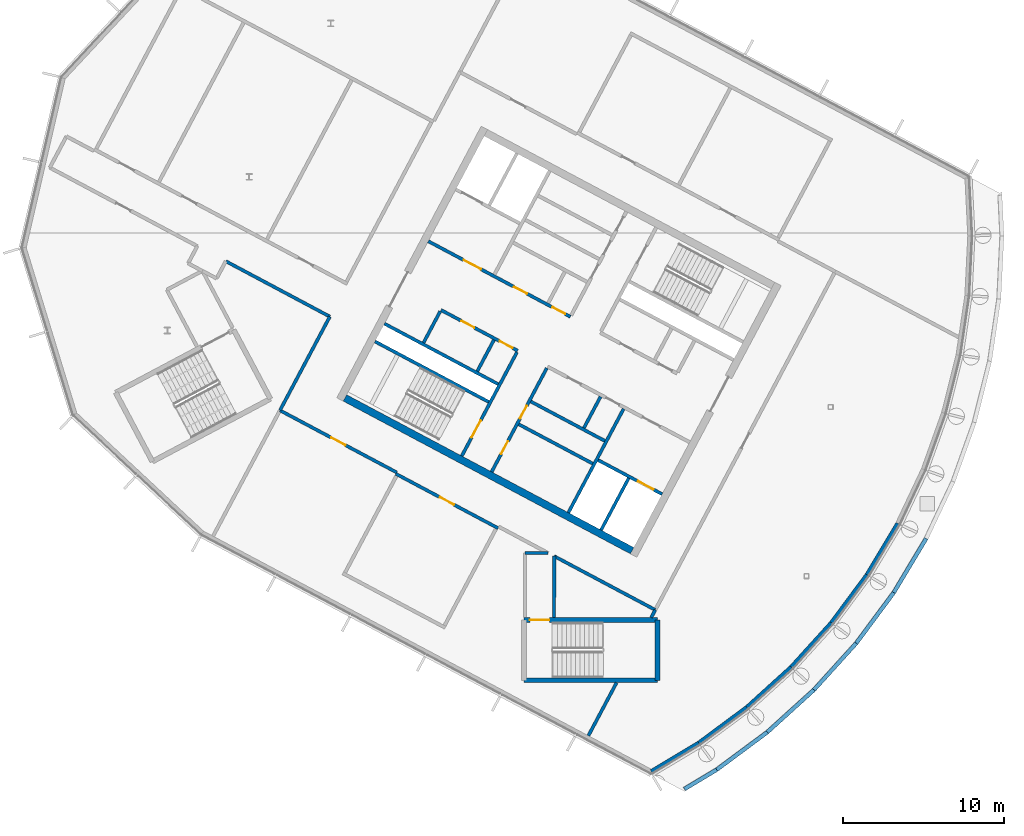
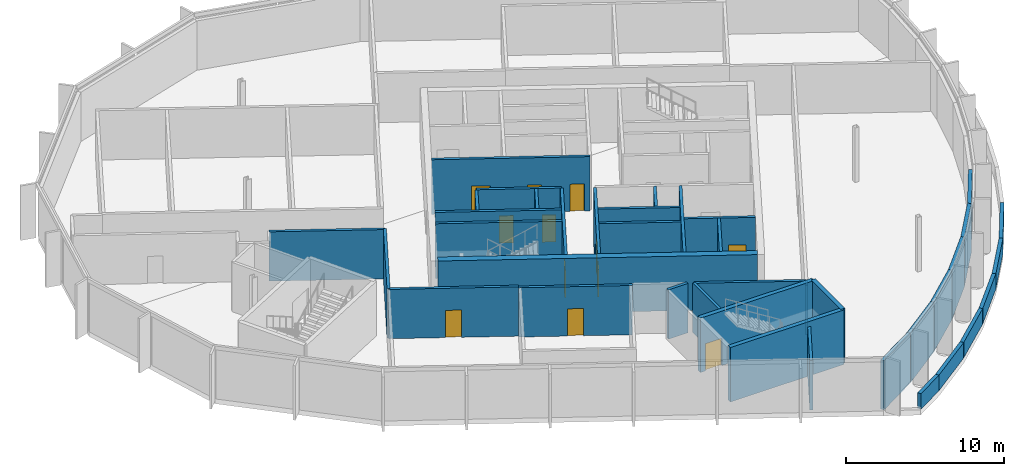
# One storey, part 6 of 16: 39 walls, 12 doors, 12 openings.
"""IFC4 building model written with IfcOpenShell, lengths in metres."""

import ifcopenshell
import ifcopenshell.guid

model = None  # the IFC model being written
_history = None  # IfcOwnerHistory: only IFC2X3 demands one
_inside = {}  # id of a spatial element -> (the spatial element, [elements in it])
_under = {}  # id of a project, library or spatial element -> (it, [spatial elements below it])
_declared = {}  # id of a project -> (the project, [libraries it declares])
_typed = {}  # id of a type object -> (the type object, [elements of that type])
_made_of = {}  # id of a material, layer set ... -> (it, [elements and type objects made of it])


def new_model(schema):
    """Start an empty IFC model of exactly this schema.

    Asked for "IFC4X3", IfcOpenShell would pick the latest addendum, in which some entities
    have other attributes; the version numbers below select the first issue.
    IFC2X3 requires an IfcOwnerHistory on every rooted entity: one is made here for all.
    """
    global model, _history
    if schema == "IFC4X3":
        model = ifcopenshell.file(schema_version=(4, 3, 0, 0))
    else:
        model = ifcopenshell.file(schema=schema)
    _inside.clear()
    _under.clear()
    _declared.clear()
    _typed.clear()
    _made_of.clear()
    _history = None
    if model.schema == "IFC2X3":
        org = make("IfcOrganization", Name="unknown")
        user = make(
            "IfcPersonAndOrganization",
            ThePerson=make("IfcPerson", FamilyName="unknown"),
            TheOrganization=org,
        )
        app = make(
            "IfcApplication",
            ApplicationDeveloper=org,
            Version="unknown",
            ApplicationFullName="unknown",
            ApplicationIdentifier="unknown",
        )
        _history = make(
            "IfcOwnerHistory",
            OwningUser=user,
            OwningApplication=app,
            ChangeAction="ADDED",
            CreationDate=0,
        )
    return model


def make(cls, **values):
    """One entity of the class cls with the attributes given. An attribute that is None is left unset."""
    return model.create_entity(
        cls, **{name: value for name, value in values.items() if value is not None}
    )


def rooted(cls, **values):
    """An entity with a GlobalId (a new one), such as an element, a storey or a relation."""
    return make(cls, GlobalId=ifcopenshell.guid.new(), OwnerHistory=_history, **values)


def si_unit(unit_type, name, prefix=None):
    """IfcSIUnit, for example si_unit("LENGTHUNIT", "METRE", prefix="MILLI")."""
    return make("IfcSIUnit", UnitType=unit_type, Prefix=prefix, Name=name)


def assignment(units):
    """IfcUnitAssignment: the units of a project."""
    return None if units is None else make("IfcUnitAssignment", Units=units)


def point(xyz):
    """IfcCartesianPoint."""
    return None if xyz is None else make("IfcCartesianPoint", Coordinates=xyz)


def direction(xyz):
    """IfcDirection."""
    return None if xyz is None else make("IfcDirection", DirectionRatios=xyz)


def frame(location, z_axis=None, x_axis=None):
    """IfcAxis2Placement3D, a coordinate frame: its origin and axes. An axis left out is left unset."""
    return make(
        "IfcAxis2Placement3D",
        Location=point(location),
        Axis=direction(z_axis),
        RefDirection=direction(x_axis),
    )


def frame_2d(location, x_axis=None):
    """IfcAxis2Placement2D, a coordinate frame in the plane: its origin and x axis."""
    return make(
        "IfcAxis2Placement2D", Location=point(location), RefDirection=direction(x_axis)
    )


def origin():
    """The frame at (0, 0, 0) with its axes left unset."""
    return frame((0.0, 0.0, 0.0))


def place(relative_to, where):
    """IfcLocalPlacement: puts the frame where relative to a parent placement (None: the world)."""
    return make(
        "IfcLocalPlacement", PlacementRelTo=relative_to, RelativePlacement=where
    )


def context(
    kind, dimensions, precision=None, world=None, true_north=None, identifier=None
):
    """IfcGeometricRepresentationContext, for example the 3D "Model" context."""
    return make(
        "IfcGeometricRepresentationContext",
        ContextIdentifier=identifier,
        ContextType=kind,
        CoordinateSpaceDimension=dimensions,
        Precision=precision,
        WorldCoordinateSystem=world,
        TrueNorth=true_north,
    )


def subcontext(parent, identifier, kind, view, scale=None):
    """IfcGeometricRepresentationSubContext, for example "Body" below "Model"."""
    return make(
        "IfcGeometricRepresentationSubContext",
        ContextIdentifier=identifier,
        ContextType=kind,
        ParentContext=parent,
        TargetScale=scale,
        TargetView=view,
    )


def project(units=None, contexts=None):
    """IfcProject with its units and contexts."""
    return rooted(
        "IfcProject",
        Name="project",
        RepresentationContexts=contexts,
        UnitsInContext=assignment(units),
    )


def spatial(cls, under=None, at=None, **own):
    """A site, building, storey or space (cls), placed at a placement, below another one or the project."""
    s = rooted(cls, ObjectPlacement=at, **own)
    if under is not None:
        _under.setdefault(under.id(), (under, []))[1].append(s)
    return s


def profile(cls, at=None, kind="AREA", **sizes):
    """A parametric profile (cls). Its sizes go by their IFC names, for example OverallWidth=200.0."""
    return make(cls, ProfileType=kind, Position=at, **sizes)


def rectangle(**sizes):
    """IfcRectangleProfileDef."""
    return profile("IfcRectangleProfileDef", **sizes)


def extrude(swept, where, along, depth):
    """IfcExtrudedAreaSolid: the profile swept, set in the frame where, extruded along a direction by depth."""
    return make(
        "IfcExtrudedAreaSolid",
        SweptArea=swept,
        Position=where,
        ExtrudedDirection=direction(along),
        Depth=depth,
    )


def shape(context_of_items, identifier, shape_type, items):
    """IfcShapeRepresentation: the items that make up one representation, for example the "Body"."""
    return make(
        "IfcShapeRepresentation",
        ContextOfItems=context_of_items,
        RepresentationIdentifier=identifier,
        RepresentationType=shape_type,
        Items=items,
    )


def material(Name=None, Category=None):
    """IfcMaterial."""
    return make("IfcMaterial", Name=Name, Category=Category)


def layer(
    of_material, thickness, ventilated=None, Name=None, Category=None, Priority=None
):
    """IfcMaterialLayer: one layer of a wall or slab, of a material (None: an air gap)."""
    return make(
        "IfcMaterialLayer",
        Material=of_material,
        LayerThickness=thickness,
        IsVentilated=ventilated,
        Name=Name,
        Category=Category,
        Priority=Priority,
    )


def layer_set(layers, Name=None):
    """IfcMaterialLayerSet."""
    return make("IfcMaterialLayerSet", MaterialLayers=layers, LayerSetName=Name)


def made_of(thing, what):
    """Note that an element or type object is made of a material, layer set ...; save() writes the relation."""
    if what is not None:
        _made_of.setdefault(what.id(), (what, []))[1].append(thing)
    return thing


def type_object(cls, material=None, **own):
    """A type object (cls), such as IfcWallType, which elements share."""
    return made_of(rooted(cls, **own), material)


def element(
    cls,
    number,
    at=None,
    inside=None,
    cuts=None,
    type_object=None,
    material=None,
    context=None,
    identifier="Body",
    shape_type=None,
    held_by="IfcProductDefinitionShape",
    body=None,
    shapes=None,
    **own,
):
    """One element of the class cls, such as IfcWall. Its Tag is "e" and its number.

    at: its placement. inside: the storey or other place that contains it. cuts: it is an
    opening in that element (IfcRelVoidsElement). A single representation is given by context,
    identifier, shape_type and body (its items); several are given by shapes. held_by: the class
    of the entity that holds the representations. save() writes the other relations.
    """
    e = rooted(cls, Tag="e%d" % number, ObjectPlacement=at, **own)
    if body is not None:
        shapes = [shape(context, identifier, shape_type, body)]
    if shapes is not None:
        e.Representation = make(held_by, Representations=shapes)
    if inside is not None:
        _inside.setdefault(inside.id(), (inside, []))[1].append(e)
    if cuts is not None:
        rooted(
            "IfcRelVoidsElement", RelatingBuildingElement=cuts, RelatedOpeningElement=e
        )
    if type_object is not None:
        _typed.setdefault(type_object.id(), (type_object, []))[1].append(e)
    return made_of(e, material)


def fill(opening, filler):
    """IfcRelFillsElement: the door or window that sits in an opening."""
    return rooted(
        "IfcRelFillsElement",
        RelatingOpeningElement=opening,
        RelatedBuildingElement=filler,
    )


def aggregate(whole, parts):
    """IfcRelAggregates: a whole, such as a stair, and the parts it consists of."""
    return rooted("IfcRelAggregates", RelatingObject=whole, RelatedObjects=parts)


def save(model, path):
    """Write the relations noted so far, then the file.

    IfcRelAggregates (storeys below a building ...), IfcRelContainedInSpatialStructure (elements
    in a storey), IfcRelDefinesByType, IfcRelAssociatesMaterial and IfcRelDeclares: one each for
    every whole, place, type object, material and project.
    """
    for whole, parts in _under.values():
        aggregate(whole, parts)
    for where, things in _inside.values():
        rooted(
            "IfcRelContainedInSpatialStructure",
            RelatedElements=things,
            RelatingStructure=where,
        )
    for kind, things in _typed.values():
        rooted("IfcRelDefinesByType", RelatedObjects=things, RelatingType=kind)
    for what, things in _made_of.values():
        rooted("IfcRelAssociatesMaterial", RelatedObjects=things, RelatingMaterial=what)
    for by, libraries in _declared.values():
        rooted("IfcRelDeclares", RelatingContext=by, RelatedDefinitions=libraries)
    model.write(path)


model = new_model("IFC4")

# Units and contexts
model_context = context("Model", 3, precision=1e-05, world=origin(), true_north=direction((0.0, 1.0)))
body_context = subcontext(model_context, "Body", "Model", "MODEL_VIEW")
ifc_project = project(units=[si_unit("LENGTHUNIT", "METRE"), si_unit("AREAUNIT", "SQUARE_METRE"), si_unit("VOLUMEUNIT", "CUBIC_METRE"), si_unit("PLANEANGLEUNIT", "RADIAN"), si_unit("MASSUNIT", "GRAM", prefix="KILO")], contexts=[model_context])

# Site, building, storey
site_placement = place(None, origin())
site = spatial("IfcSite", under=ifc_project, at=site_placement, CompositionType="ELEMENT")
building_placement = place(site_placement, origin())
building = spatial("IfcBuilding", under=site, at=building_placement, Name="Cormorant Relay Tower", CompositionType="ELEMENT")
storey_placement = place(building_placement, frame((0.0, 0.0, 345.0)))
storey = spatial("IfcBuildingStorey", under=building, at=storey_placement, Name="C5", CompositionType="ELEMENT", Elevation=345.0)

# Walls
ifc_material_1 = material(Name="Concrete 40 MPa", Category="concrete")
ifc_layer_1 = layer(ifc_material_1, 0.199951171875)
ifc_layer_set_1 = layer_set([ifc_layer_1], Name="Core internal wall 200")
wall_type_1 = type_object("IfcWallType", Name="Core internal wall 200", PredefinedType="SOLIDWALL", material=ifc_layer_set_1)
wall_1_placement = place(storey_placement, frame((-24.79052734375, 11.142822265625, 0.0), z_axis=(0.0, 0.0, 1.0), x_axis=(-0.469487830541, -0.882938942948, 0.0)))
element("IfcWall", 1, at=wall_1_placement, inside=storey, type_object=wall_type_1, Name="C5 core A shaft and room wall", PredefinedType="SOLIDWALL", context=body_context, shape_type="SweptSolid", body=[
    extrude(rectangle(XDim=2.2001953125, YDim=0.199951171875, at=frame_2d((1.10009765625, 0.0))), origin(), (0.0, 0.0, 1.0), 4.199951171875),
])
wall_2_placement = place(storey_placement, frame((-31.41259765625, 14.663818359375, 0.0), z_axis=(0.0, 0.0, 1.0), x_axis=(-0.469533832133, -0.882914480843, 0.0)))
element("IfcWall", 2, at=wall_2_placement, inside=storey, type_object=wall_type_1, Name="C5 core A shaft and room wall", PredefinedType="SOLIDWALL", context=body_context, shape_type="SweptSolid", body=[
    extrude(rectangle(XDim=2.199951171875, YDim=0.199951171875, at=frame_2d((1.10009765625, 0.0))), origin(), (0.0, 0.0, 1.0), 4.199951171875),
])
wall_3_placement = place(storey_placement, frame((-25.279541015625, 6.985595703125, 0.0), z_axis=(0.0, 0.0, 1.0), x_axis=(-0.882934506056, 0.469496174655, 0.0)))
element("IfcWall", 3, at=wall_3_placement, inside=storey, type_object=wall_type_1, Name="C5 core A shaft and room wall", PredefinedType="SOLIDWALL", context=body_context, shape_type="SweptSolid", body=[
    extrude(rectangle(XDim=5.199951171875, YDim=0.199951171875, at=frame_2d((2.60009765625, 0.0))), origin(), (0.0, 0.0, 1.0), 4.199951171875),
])
ifc_material_2 = material(Name="Concrete 50 MPa", Category="concrete")
ifc_layer_2 = layer(ifc_material_2, 0.199951171875)
ifc_layer_set_2 = layer_set([ifc_layer_2], Name="Core shaft wall 200")
wall_type_2 = type_object("IfcWallType", Name="Core shaft wall 200", PredefinedType="SHEAR", material=ifc_layer_set_2)
wall_4_placement = place(storey_placement, frame((-23.04296875, 6.07958984375, 0.0), z_axis=(0.0, 0.0, 1.0), x_axis=(-0.469494272526, -0.882935517501, 0.0)))
element("IfcWall", 4, at=wall_4_placement, inside=storey, type_object=wall_type_2, Name="C5 core A shaft wall", PredefinedType="SHEAR", context=body_context, shape_type="SweptSolid", body=[
    extrude(rectangle(XDim=3.64990234375, YDim=0.199951171875, at=frame_2d((1.824951171875, 0.0))), origin(), (0.0, 0.0, 1.0), 4.199951171875),
])
wall_5_placement = place(storey_placement, frame((-23.360107421875, 10.38232421875, 0.0), z_axis=(0.0, 0.0, 1.0), x_axis=(-0.469480409012, -0.88294288918, 0.0)))
element("IfcWall", 5, at=wall_5_placement, inside=storey, type_object=wall_type_2, Name="C5 core A shaft wall", PredefinedType="SHEAR", context=body_context, shape_type="SweptSolid", body=[
    extrude(rectangle(XDim=7.300048828125, YDim=0.199951171875, at=frame_2d((3.64990234375, 0.0))), origin(), (0.0, 0.0, 1.0), 4.199951171875),
])

# Wall, openings, doors
wall_6_placement = place(storey_placement, frame((-28.128173828125, 12.91748046875, 0.0), z_axis=(0.0, 0.0, 1.0), x_axis=(-0.469454336211, -0.882956752176, 0.0)))
wall_6 = element("IfcWall", 6, at=wall_6_placement, inside=storey, type_object=wall_type_2, Name="C5 core A shaft wall", PredefinedType="SHEAR", context=body_context, shape_type="SweptSolid", body=[
    extrude(rectangle(XDim=7.300048828125, YDim=0.199951171875, at=frame_2d((3.64990234375, 0.0))), origin(), (0.0, 0.0, 1.0), 4.199951171875),
])
opening_1_placement = place(wall_6_placement, frame((2.64990234375, 0.0, 0.0)))
opening_1 = element("IfcOpeningElement", 7, at=opening_1_placement, cuts=wall_6, Name="Opening CDD-387", PredefinedType="OPENING", context=body_context, shape_type="SweptSolid", body=[
    extrude(rectangle(XDim=0.89990234375, YDim=2.10009765625, at=frame_2d((0.449951171875, 1.050048828125))), frame((0.0, 0.10986328125, 0.0), z_axis=(0.0, -1.0, 0.0), x_axis=(1.0, 0.0, 0.0)), (0.0, 0.0, 1.0), 0.219970703125),
])
opening_2_placement = place(wall_6_placement, frame((5.14990234375, 0.0, 0.0)))
opening_2 = element("IfcOpeningElement", 8, at=opening_2_placement, cuts=wall_6, Name="Opening CDD-388", PredefinedType="OPENING", context=body_context, shape_type="SweptSolid", body=[
    extrude(rectangle(XDim=0.89990234375, YDim=2.10009765625, at=frame_2d((0.449951171875, 1.050048828125))), frame((0.0, 0.10986328125, 0.0), z_axis=(0.0, -1.0, 0.0), x_axis=(1.0, 0.0, 0.0)), (0.0, 0.0, 1.0), 0.219970703125),
])
ifc_material_3 = material(Name="Steel fire door", Category="steel")
door_type_1 = type_object("IfcDoorType", Name="Core room door 900x2100", OperationType="SINGLE_SWING_LEFT", PredefinedType="DOOR", material=ifc_material_3)
door_1_placement = place(opening_1_placement, origin())
door_1 = element("IfcDoor", 9, at=door_1_placement, inside=storey, type_object=door_type_1, Name="Core room door 900x2100", OperationType="SINGLE_SWING_LEFT", OverallHeight=2.10009765625, OverallWidth=0.89990234375, PredefinedType="DOOR", context=body_context, shape_type="SweptSolid", body=[
    extrude(rectangle(XDim=0.89990234375, YDim=2.10009765625, at=frame_2d((0.449951171875, 1.050048828125))), frame((0.0, 0.02490234375, 0.0), z_axis=(0.0, -1.0, 0.0), x_axis=(1.0, 0.0, 0.0)), (0.0, 0.0, 1.0), 0.050048828125),
])
fill(opening_1, door_1)
door_2_placement = place(opening_2_placement, origin())
door_2 = element("IfcDoor", 10, at=door_2_placement, inside=storey, type_object=door_type_1, Name="Core room door 900x2100", OperationType="SINGLE_SWING_LEFT", OverallHeight=2.10009765625, OverallWidth=0.89990234375, PredefinedType="DOOR", context=body_context, shape_type="SweptSolid", body=[
    extrude(rectangle(XDim=0.89990234375, YDim=2.10009765625, at=frame_2d((0.449951171875, 1.050048828125))), frame((0.0, 0.02490234375, 0.0), z_axis=(0.0, -1.0, 0.0), x_axis=(1.0, 0.0, 0.0)), (0.0, 0.0, 1.0), 0.050048828125),
])
fill(opening_2, door_2)

# Wall, opening, door
wall_7_placement = place(storey_placement, frame((-29.982421875, 13.9033203125, 0.0), z_axis=(0.0, 0.0, 1.0), x_axis=(-0.469454336211, -0.882956752176, 0.0)))
wall_7 = element("IfcWall", 11, at=wall_7_placement, inside=storey, type_object=wall_type_2, Name="C5 core A shaft wall", PredefinedType="SHEAR", context=body_context, shape_type="SweptSolid", body=[
    extrude(rectangle(XDim=7.300048828125, YDim=0.199951171875, at=frame_2d((3.64990234375, 0.0))), origin(), (0.0, 0.0, 1.0), 4.199951171875),
])
opening_3_placement = place(wall_7_placement, frame((4.800048828125, 0.0, 0.0)))
opening_3 = element("IfcOpeningElement", 12, at=opening_3_placement, cuts=wall_7, Name="Opening CDB-045", PredefinedType="OPENING", context=body_context, shape_type="SweptSolid", body=[
    extrude(rectangle(XDim=1.199951171875, YDim=2.10009765625, at=frame_2d((0.60009765625, 1.050048828125))), frame((0.0, 0.10986328125, 0.0), z_axis=(0.0, -1.0, 0.0), x_axis=(1.0, 0.0, 0.0)), (0.0, 0.0, 1.0), 0.219970703125),
])
ifc_material_4 = material(Name="Steel fire door", Category="steel")
door_type_2 = type_object("IfcDoorType", Name="Core stair door 1200x2100", OperationType="SINGLE_SWING_LEFT", PredefinedType="DOOR", material=ifc_material_4)
door_3_placement = place(opening_3_placement, frame((1.199951171875, 0.0, 0.0), z_axis=(0.0, 0.0, 1.0), x_axis=(-1.0, 0.0, 0.0)))
door_3 = element("IfcDoor", 13, at=door_3_placement, inside=storey, type_object=door_type_2, Name="Core stair door 1200x2100", OperationType="SINGLE_SWING_RIGHT", OverallHeight=2.10009765625, OverallWidth=1.199951171875, PredefinedType="DOOR", context=body_context, shape_type="SweptSolid", body=[
    extrude(rectangle(XDim=1.199951171875, YDim=2.10009765625, at=frame_2d((0.60009765625, 1.050048828125))), frame((0.0, 0.02490234375, 0.0), z_axis=(0.0, -1.0, 0.0), x_axis=(1.0, 0.0, 0.0)), (0.0, 0.0, 1.0), 0.050048828125),
])
fill(opening_3, door_3)

# Wall
wall_8_placement = place(storey_placement, frame((-34.750244140625, 16.4384765625, 0.0), z_axis=(0.0, 0.0, 1.0), x_axis=(-0.469401318492, -0.882984938828, 0.0)))
element("IfcWall", 14, at=wall_8_placement, inside=storey, type_object=wall_type_2, Name="C5 core A shaft wall", PredefinedType="SHEAR", context=body_context, shape_type="SweptSolid", body=[
    extrude(rectangle(XDim=2.199951171875, YDim=0.199951171875, at=frame_2d((1.10009765625, 0.0))), origin(), (0.0, 0.0, 1.0), 4.199951171875),
])

# Wall, openings, doors
wall_9_placement = place(storey_placement, frame((-26.66162109375, 16.1015625, 0.0), z_axis=(0.0, 0.0, 1.0), x_axis=(-0.882940221191, 0.469485426614, 0.0)))
wall_9 = element("IfcWall", 15, at=wall_9_placement, inside=storey, type_object=wall_type_2, Name="C5 core A shaft wall", PredefinedType="SHEAR", context=body_context, shape_type="SweptSolid", body=[
    extrude(rectangle(XDim=10.0, YDim=0.199951171875, at=frame_2d((5.0, 0.0))), origin(), (0.0, 0.0, 1.0), 4.199951171875),
])
opening_4_placement = place(wall_9_placement, frame((6.300048828125, 0.0, 0.0)))
opening_4 = element("IfcOpeningElement", 16, at=opening_4_placement, cuts=wall_9, Name="Opening CDC-041", PredefinedType="OPENING", context=body_context, shape_type="SweptSolid", body=[
    extrude(rectangle(XDim=1.199951171875, YDim=2.10009765625, at=frame_2d((0.60009765625, 1.050048828125))), frame((0.0, 0.10986328125, 0.0), z_axis=(0.0, -1.0, 0.0), x_axis=(1.0, 0.0, 0.0)), (0.0, 0.0, 1.0), 0.219970703125),
])
opening_5_placement = place(wall_9_placement, frame((0.360107421875, 0.0, 0.0)))
opening_5 = element("IfcOpeningElement", 17, at=opening_5_placement, cuts=wall_9, Name="Opening CDD-375", PredefinedType="OPENING", context=body_context, shape_type="SweptSolid", body=[
    extrude(rectangle(XDim=0.89990234375, YDim=2.10009765625, at=frame_2d((0.449951171875, 1.050048828125))), frame((0.0, 0.10986328125, 0.0), z_axis=(0.0, -1.0, 0.0), x_axis=(1.0, 0.0, 0.0)), (0.0, 0.0, 1.0), 0.219970703125),
])
opening_6_placement = place(wall_9_placement, frame((3.06005859375, 0.0, 0.0)))
opening_6 = element("IfcOpeningElement", 18, at=opening_6_placement, cuts=wall_9, Name="Opening CDD-376", PredefinedType="OPENING", context=body_context, shape_type="SweptSolid", body=[
    extrude(rectangle(XDim=0.89990234375, YDim=2.10009765625, at=frame_2d((0.449951171875, 1.050048828125))), frame((0.0, 0.10986328125, 0.0), z_axis=(0.0, -1.0, 0.0), x_axis=(1.0, 0.0, 0.0)), (0.0, 0.0, 1.0), 0.219970703125),
])
ifc_material_5 = material(Name="Steel fire door", Category="steel")
door_type_3 = type_object("IfcDoorType", Name="Core lobby door 1200x2100", OperationType="SINGLE_SWING_LEFT", PredefinedType="DOOR", material=ifc_material_5)
door_4_placement = place(opening_4_placement, origin())
door_4 = element("IfcDoor", 19, at=door_4_placement, inside=storey, type_object=door_type_3, Name="Core lobby door 1200x2100", OperationType="SINGLE_SWING_LEFT", OverallHeight=2.10009765625, OverallWidth=1.199951171875, PredefinedType="DOOR", context=body_context, shape_type="SweptSolid", body=[
    extrude(rectangle(XDim=1.199951171875, YDim=2.10009765625, at=frame_2d((0.60009765625, 1.050048828125))), frame((0.0, 0.02490234375, 0.0), z_axis=(0.0, -1.0, 0.0), x_axis=(1.0, 0.0, 0.0)), (0.0, 0.0, 1.0), 0.050048828125),
])
fill(opening_4, door_4)
door_5_placement = place(opening_5_placement, frame((0.89990234375, 0.0, 0.0), z_axis=(0.0, 0.0, 1.0), x_axis=(-1.0, 0.0, 0.0)))
door_5 = element("IfcDoor", 20, at=door_5_placement, inside=storey, type_object=door_type_1, Name="Core room door 900x2100", OperationType="SINGLE_SWING_RIGHT", OverallHeight=2.10009765625, OverallWidth=0.89990234375, PredefinedType="DOOR", context=body_context, shape_type="SweptSolid", body=[
    extrude(rectangle(XDim=0.89990234375, YDim=2.10009765625, at=frame_2d((0.449951171875, 1.050048828125))), frame((0.0, 0.02490234375, 0.0), z_axis=(0.0, -1.0, 0.0), x_axis=(1.0, 0.0, 0.0)), (0.0, 0.0, 1.0), 0.050048828125),
])
fill(opening_5, door_5)
door_6_placement = place(opening_6_placement, origin())
door_6 = element("IfcDoor", 21, at=door_6_placement, inside=storey, type_object=door_type_1, Name="Core room door 900x2100", OperationType="SINGLE_SWING_LEFT", OverallHeight=2.10009765625, OverallWidth=0.89990234375, PredefinedType="DOOR", context=body_context, shape_type="SweptSolid", body=[
    extrude(rectangle(XDim=0.89990234375, YDim=2.10009765625, at=frame_2d((0.449951171875, 1.050048828125))), frame((0.0, 0.02490234375, 0.0), z_axis=(0.0, -1.0, 0.0), x_axis=(1.0, 0.0, 0.0)), (0.0, 0.0, 1.0), 0.050048828125),
])
fill(opening_6, door_6)

wall_10_placement = place(storey_placement, frame((-29.935302734375, 13.991455078125, 0.0), z_axis=(0.0, 0.0, 1.0), x_axis=(-0.882952937579, 0.469461510692, 0.0)))
wall_10 = element("IfcWall", 22, at=wall_10_placement, inside=storey, type_object=wall_type_2, Name="C5 core A shaft wall", PredefinedType="SHEAR", context=body_context, shape_type="SweptSolid", body=[
    extrude(rectangle(XDim=5.400146484375, YDim=0.199951171875, at=frame_2d((2.7001953125, 0.0))), origin(), (0.0, 0.0, 1.0), 4.199951171875),
])
opening_7_placement = place(wall_10_placement, frame((0.360107421875, 0.0, 0.0)))
opening_7 = element("IfcOpeningElement", 23, at=opening_7_placement, cuts=wall_10, Name="Opening CDD-354", PredefinedType="OPENING", context=body_context, shape_type="SweptSolid", body=[
    extrude(rectangle(XDim=0.89990234375, YDim=2.10009765625, at=frame_2d((0.449951171875, 1.050048828125))), frame((0.0, 0.10986328125, 0.0), z_axis=(0.0, -1.0, 0.0), x_axis=(1.0, 0.0, 0.0)), (0.0, 0.0, 1.0), 0.219970703125),
])
opening_8_placement = place(wall_10_placement, frame((3.06005859375, 0.0, 0.0)))
opening_8 = element("IfcOpeningElement", 24, at=opening_8_placement, cuts=wall_10, Name="Opening CDD-374", PredefinedType="OPENING", context=body_context, shape_type="SweptSolid", body=[
    extrude(rectangle(XDim=0.89990234375, YDim=2.10009765625, at=frame_2d((0.449951171875, 1.050048828125))), frame((0.0, 0.10986328125, 0.0), z_axis=(0.0, -1.0, 0.0), x_axis=(1.0, 0.0, 0.0)), (0.0, 0.0, 1.0), 0.219970703125),
])
door_7_placement = place(opening_7_placement, origin())
door_7 = element("IfcDoor", 25, at=door_7_placement, inside=storey, type_object=door_type_1, Name="Core room door 900x2100", OperationType="SINGLE_SWING_LEFT", OverallHeight=2.10009765625, OverallWidth=0.89990234375, PredefinedType="DOOR", context=body_context, shape_type="SweptSolid", body=[
    extrude(rectangle(XDim=0.89990234375, YDim=2.10009765625, at=frame_2d((0.449951171875, 1.050048828125))), frame((0.0, 0.02490234375, 0.0), z_axis=(0.0, -1.0, 0.0), x_axis=(1.0, 0.0, 0.0)), (0.0, 0.0, 1.0), 0.050048828125),
])
fill(opening_7, door_7)
door_8_placement = place(opening_8_placement, origin())
door_8 = element("IfcDoor", 26, at=door_8_placement, inside=storey, type_object=door_type_1, Name="Core room door 900x2100", OperationType="SINGLE_SWING_LEFT", OverallHeight=2.10009765625, OverallWidth=0.89990234375, PredefinedType="DOOR", context=body_context, shape_type="SweptSolid", body=[
    extrude(rectangle(XDim=0.89990234375, YDim=2.10009765625, at=frame_2d((0.449951171875, 1.050048828125))), frame((0.0, 0.02490234375, 0.0), z_axis=(0.0, -1.0, 0.0), x_axis=(1.0, 0.0, 0.0)), (0.0, 0.0, 1.0), 0.050048828125),
])
fill(opening_8, door_8)

# Walls
wall_11_placement = place(storey_placement, frame((-24.5283203125, 8.3984375, 0.0), z_axis=(0.0, 0.0, 1.0), x_axis=(-0.882953967957, 0.469459572775, 0.0)))
element("IfcWall", 27, at=wall_11_placement, inside=storey, type_object=wall_type_2, Name="C5 core A shaft wall", PredefinedType="SHEAR", context=body_context, shape_type="SweptSolid", body=[
    extrude(rectangle(XDim=5.199951171875, YDim=0.199951171875, at=frame_2d((2.60009765625, 0.0))), origin(), (0.0, 0.0, 1.0), 4.199951171875),
])
wall_12_placement = place(storey_placement, frame((-31.150390625, 11.91943359375, 0.0), z_axis=(0.0, 0.0, 1.0), x_axis=(-0.882940221191, 0.469485426614, 0.0)))
element("IfcWall", 28, at=wall_12_placement, inside=storey, type_object=wall_type_2, Name="C5 core A shaft wall", PredefinedType="SHEAR", context=body_context, shape_type="SweptSolid", body=[
    extrude(rectangle(XDim=8.0, YDim=0.199951171875, at=frame_2d((4.0, 0.0))), origin(), (0.0, 0.0, 1.0), 4.199951171875),
])

# Wall, opening, door
wall_13_placement = place(storey_placement, frame((-20.96533203125, 5.088134765625, 0.0), z_axis=(0.0, 0.0, 1.0), x_axis=(-0.882925986334, 0.469512196493, 0.0)))
wall_13 = element("IfcWall", 29, at=wall_13_placement, inside=storey, type_object=wall_type_2, Name="C5 core A shaft wall", PredefinedType="SHEAR", context=body_context, shape_type="SweptSolid", body=[
    extrude(rectangle(XDim=4.5, YDim=0.199951171875, at=frame_2d((2.25, 0.0))), origin(), (0.0, 0.0, 1.0), 4.199951171875),
])
opening_9_placement = place(wall_13_placement, frame((0.60009765625, 0.0, 0.0)))
opening_9 = element("IfcOpeningElement", 30, at=opening_9_placement, cuts=wall_13, Name="Opening LD1-069", PredefinedType="OPENING", context=body_context, shape_type="SweptSolid", body=[
    extrude(rectangle(XDim=1.10009765625, YDim=2.10009765625, at=frame_2d((0.550048828125, 1.050048828125))), frame((0.0, 0.10986328125, 0.0), z_axis=(0.0, -1.0, 0.0), x_axis=(1.0, 0.0, 0.0)), (0.0, 0.0, 1.0), 0.219970703125),
])
ifc_material_6 = material(Name="Stainless steel 316", Category="steel")
door_type_4 = type_object("IfcDoorType", Name="Lift landing door 1100x2100", OperationType="DOUBLE_DOOR_SLIDING", PredefinedType="DOOR", material=ifc_material_6)
door_9_placement = place(opening_9_placement, origin())
door_9 = element("IfcDoor", 31, at=door_9_placement, inside=storey, type_object=door_type_4, Name="FF1 landing door", OperationType="DOUBLE_DOOR_SLIDING", OverallHeight=2.10009765625, OverallWidth=1.10009765625, PredefinedType="DOOR", context=body_context, shape_type="SweptSolid", body=[
    extrude(rectangle(XDim=1.10009765625, YDim=2.10009765625, at=frame_2d((0.550048828125, 1.050048828125))), frame((0.0, 0.02490234375, 0.0), z_axis=(0.0, -1.0, 0.0), x_axis=(1.0, 0.0, 0.0)), (0.0, 0.0, 1.0), 0.050048828125),
])
fill(opening_9, door_9)

# Walls
wall_14_placement = place(storey_placement, frame((-31.7373046875, 10.815673828125, 0.0), z_axis=(0.0, 0.0, 1.0), x_axis=(-0.882940221191, 0.469485426614, 0.0)))
element("IfcWall", 32, at=wall_14_placement, inside=storey, type_object=wall_type_2, Name="C5 core A shaft wall", PredefinedType="SHEAR", context=body_context, shape_type="SweptSolid", body=[
    extrude(rectangle(XDim=8.0, YDim=0.199951171875, at=frame_2d((4.0, 0.0))), origin(), (0.0, 0.0, 1.0), 4.199951171875),
])
ifc_material_7 = material(Name="Concrete 50 MPa", Category="concrete")
ifc_layer_3 = layer(ifc_material_7, 0.449951171875)
ifc_layer_set_3 = layer_set([ifc_layer_3], Name="Core wall 450")
wall_type_3 = type_object("IfcWallType", Name="Core wall 450", PredefinedType="SHEAR", material=ifc_layer_set_3)
wall_15_placement = place(storey_placement, frame((-22.83154296875, 1.578369140625, 0.0), z_axis=(0.0, 0.0, 1.0), x_axis=(-0.88294509198, 0.469476266226, 0.0)))
element("IfcWall", 33, at=wall_15_placement, inside=storey, type_object=wall_type_3, Name="C5 core A wall", PredefinedType="SHEAR", context=body_context, shape_type="SweptSolid", body=[
    extrude(rectangle(XDim=20.199951171875, YDim=0.449951171875, at=frame_2d((10.10009765625, 0.0))), origin(), (0.0, 0.0, 1.0), 4.199951171875),
])

# Wall, opening, door
ifc_material_8 = material(Name="Concrete 30 MPa block wall", Category="concrete")
ifc_layer_4 = layer(ifc_material_8, 0.199951171875)
ifc_layer_set_4 = layer_set([ifc_layer_4], Name="Crown plant room wall 200")
wall_type_4 = type_object("IfcWallType", Name="Crown plant room wall 200", PredefinedType="PARTITIONING", material=ifc_layer_set_4)
wall_16_placement = place(storey_placement, frame((-31.15087890625, 2.972412109375, 0.0), z_axis=(0.0, 0.0, 1.0), x_axis=(-0.882950149473, 0.469466754463, 0.0)))
wall_16 = element("IfcWall", 34, at=wall_16_placement, inside=storey, type_object=wall_type_4, Name="Plant room wall", PredefinedType="PARTITIONING", context=body_context, shape_type="SweptSolid", body=[
    extrude(rectangle(XDim=7.199951171875, YDim=0.199951171875, at=frame_2d((3.60009765625, 0.0))), origin(), (0.0, 0.0, 1.0), 3.7998046875),
])
opening_10_placement = place(wall_16_placement, frame((3.10009765625, 0.0, 0.0)))
opening_10 = element("IfcOpeningElement", 35, at=opening_10_placement, cuts=wall_16, Name="Opening CRD1-001", PredefinedType="OPENING", context=body_context, shape_type="SweptSolid", body=[
    extrude(rectangle(XDim=1.0, YDim=2.10009765625, at=frame_2d((0.5, 1.050048828125))), frame((0.0, 0.10986328125, 0.0), z_axis=(0.0, -1.0, 0.0), x_axis=(1.0, 0.0, 0.0)), (0.0, 0.0, 1.0), 0.219970703125),
])
ifc_material_9 = material(Name="Galvanised sheet steel ASTM A653 framed door leaf", Category="steel")
door_type_5 = type_object("IfcDoorType", Name="Crown door single 1000", OperationType="SINGLE_SWING_LEFT", PredefinedType="DOOR", material=ifc_material_9)
door_10_placement = place(opening_10_placement, origin())
door_10 = element("IfcDoor", 36, at=door_10_placement, inside=storey, type_object=door_type_5, Name="Air handling plant room door", OperationType="SINGLE_SWING_LEFT", OverallHeight=2.10009765625, OverallWidth=1.0, PredefinedType="DOOR", context=body_context, shape_type="SweptSolid", body=[
    extrude(rectangle(XDim=1.0, YDim=2.10009765625, at=frame_2d((0.5, 1.050048828125))), frame((0.0, 0.02490234375, 0.0), z_axis=(0.0, -1.0, 0.0), x_axis=(1.0, 0.0, 0.0)), (0.0, 0.0, 1.0), 0.050048828125),
])
fill(opening_10, door_10)

# Walls
wall_17_placement = place(storey_placement, frame((-44.701171875, 10.29052734375, 0.0), z_axis=(0.0, 0.0, 1.0), x_axis=(0.469444770229, 0.882961838193, 0.0)))
element("IfcWall", 37, at=wall_17_placement, inside=storey, type_object=wall_type_4, Name="Plant room wall", PredefinedType="PARTITIONING", context=body_context, shape_type="SweptSolid", body=[
    extrude(rectangle(XDim=6.595947265625, YDim=0.199951171875, at=frame_2d((3.2978515625, 0.0))), origin(), (0.0, 0.0, 1.0), 3.7998046875),
])
wall_18_placement = place(storey_placement, frame((-41.604736328125, 16.114501953125, 0.0), z_axis=(0.0, 0.0, 1.0), x_axis=(-0.88269432005, 0.469947590006, 0.0)))
element("IfcWall", 38, at=wall_18_placement, inside=storey, type_object=wall_type_4, Name="Plant room wall", PredefinedType="PARTITIONING", context=body_context, shape_type="SweptSolid", body=[
    extrude(rectangle(XDim=7.31982421875, YDim=0.199951171875, at=frame_2d((3.659912109375, 0.0))), origin(), (0.0, 0.0, 1.0), 3.7998046875),
])
wall_19_placement = place(storey_placement, frame((-21.391357421875, -2.103515625, 0.0), z_axis=(0.0, 0.0, 1.0), x_axis=(-0.882952949239, 0.469461488761, 0.0)))
element("IfcWall", 39, at=wall_19_placement, inside=storey, type_object=wall_type_4, Name="Plant room wall", PredefinedType="PARTITIONING", context=body_context, shape_type="SweptSolid", body=[
    extrude(rectangle(XDim=7.110107421875, YDim=0.199951171875, at=frame_2d((3.55517578125, 0.0))), origin(), (0.0, 0.0, 1.0), 3.7998046875),
])
wall_20_placement = place(storey_placement, frame((-27.669189453125, 1.234375, 0.0), z_axis=(0.0, 0.0, 1.0), x_axis=(-0.001538163918, -0.999998817025, 0.0)))
element("IfcWall", 40, at=wall_20_placement, inside=storey, type_object=wall_type_4, Name="Plant room wall", PredefinedType="PARTITIONING", context=body_context, shape_type="SweptSolid", body=[
    extrude(rectangle(XDim=3.809326171875, YDim=0.199951171875, at=frame_2d((1.90478515625, 0.0))), origin(), (0.0, 0.0, 1.0), 3.7998046875),
])
wall_21_placement = place(storey_placement, frame((-29.47509765625, 1.4248046875, 0.0), z_axis=(0.0, 0.0, 1.0), x_axis=(0.999999985454, 0.000170561144, 0.0)))
element("IfcWall", 41, at=wall_21_placement, inside=storey, type_object=wall_type_4, Name="Plant room wall", PredefinedType="PARTITIONING", context=body_context, shape_type="SweptSolid", body=[
    extrude(rectangle(XDim=1.431396484375, YDim=0.199951171875, at=frame_2d((0.7158203125, 0.0))), origin(), (0.0, 0.0, 1.0), 3.7998046875),
])

# Wall, opening, door
wall_22_placement = place(storey_placement, frame((-37.443603515625, 6.431396484375, 0.0), z_axis=(0.0, 0.0, 1.0), x_axis=(-0.88293683547, 0.469491793934, 0.0)))
wall_22 = element("IfcWall", 42, at=wall_22_placement, inside=storey, type_object=wall_type_4, Name="Plant room wall", PredefinedType="PARTITIONING", context=body_context, shape_type="SweptSolid", body=[
    extrude(rectangle(XDim=8.2197265625, YDim=0.199951171875, at=frame_2d((4.10986328125, 0.0))), origin(), (0.0, 0.0, 1.0), 3.7998046875),
])
opening_11_placement = place(wall_22_placement, frame((3.610107421875, 0.0, 0.0)))
opening_11 = element("IfcOpeningElement", 43, at=opening_11_placement, cuts=wall_22, Name="Opening CRD1-009", PredefinedType="OPENING", context=body_context, shape_type="SweptSolid", body=[
    extrude(rectangle(XDim=1.0, YDim=2.10009765625, at=frame_2d((0.5, 1.050048828125))), frame((0.0, 0.10986328125, 0.0), z_axis=(0.0, -1.0, 0.0), x_axis=(1.0, 0.0, 0.0)), (0.0, 0.0, 1.0), 0.219970703125),
])
door_11_placement = place(opening_11_placement, origin())
door_11 = element("IfcDoor", 44, at=door_11_placement, inside=storey, type_object=door_type_5, Name="Antenna feeder room door", OperationType="SINGLE_SWING_LEFT", OverallHeight=2.10009765625, OverallWidth=1.0, PredefinedType="DOOR", context=body_context, shape_type="SweptSolid", body=[
    extrude(rectangle(XDim=1.0, YDim=2.10009765625, at=frame_2d((0.5, 1.050048828125))), frame((0.0, 0.02490234375, 0.0), z_axis=(0.0, -1.0, 0.0), x_axis=(1.0, 0.0, 0.0)), (0.0, 0.0, 1.0), 0.050048828125),
])
fill(opening_11, door_11)

# Walls
wall_23_placement = place(storey_placement, frame((-21.392333984375, -2.10302734375, 0.0), z_axis=(0.0, 0.0, 1.0), x_axis=(-0.469544796689, -0.882908649806, 0.0)))
element("IfcWall", 45, at=wall_23_placement, inside=storey, type_object=wall_type_4, Name="Plant room wall", PredefinedType="PARTITIONING", context=body_context, shape_type="SweptSolid", body=[
    extrude(rectangle(XDim=0.534423828125, YDim=0.199951171875, at=frame_2d((0.26708984375, 0.0))), origin(), (0.0, 0.0, 1.0), 3.7998046875),
])
wall_24_placement = place(storey_placement, frame((-23.796630859375, -6.625, 0.0), z_axis=(0.0, 0.0, 1.0), x_axis=(-0.469466372195, -0.882950352726, 0.0)))
element("IfcWall", 46, at=wall_24_placement, inside=storey, type_object=wall_type_4, Name="Plant room wall", PredefinedType="PARTITIONING", context=body_context, shape_type="SweptSolid", body=[
    extrude(rectangle(XDim=3.728759765625, YDim=0.199951171875, at=frame_2d((1.8642578125, 0.0))), origin(), (0.0, 0.0, 1.0), 3.7998046875),
])
ifc_material_10 = material(Name="Bronze cladding on Concrete 30 MPa block wall", Category="concrete")
ifc_layer_5 = layer(ifc_material_10, 0.25)
ifc_layer_set_5 = layer_set([ifc_layer_5], Name="Crown wall 250")
wall_type_5 = type_object("IfcWallType", Name="Crown wall 250", PredefinedType="STANDARD", material=ifc_layer_set_5)
wall_25_placement = place(storey_placement, frame((-6.330078125, 3.272216796875, 0.0), z_axis=(0.0, 0.0, 1.0), x_axis=(-0.514090017273, -0.857736238094, 0.0)))
element("IfcWall", 47, at=wall_25_placement, inside=storey, type_object=wall_type_5, Name="Crown wall C5", PredefinedType="STANDARD", context=body_context, shape_type="SweptSolid", body=[
    extrude(rectangle(XDim=3.717041015625, YDim=0.25, at=frame_2d((1.8583984375, 0.0))), origin(), (0.0, 0.0, 1.0), 3.7998046875),
])
for number, where, z_axis, x_axis, name in (
    (48, (-8.240966796875, 0.083984375, 0.0), (0.0, 0.0, 1.0), (-0.595703420109, -0.803204479115, 0.0), "Crown wall C5"),
    (49, (-10.455078125, -2.9013671875, 0.0), (0.0, 0.0, 1.0), (-0.671573521434, -0.740937922709, 0.0), "Crown wall C5"),
    (50, (-12.951171875, -5.6552734375, 0.0), (0.0, 0.0, 1.0), (-0.740937922709, -0.671573521434, 0.0), "Crown wall C5"),
    (51, (-15.705078125, -8.1513671875, 0.0), (0.0, 0.0, 1.0), (-0.803204479115, -0.595703420109, 0.0), "Crown wall C5"),
):
    element("IfcWall", number, at=place(storey_placement, frame(where, z_axis=z_axis, x_axis=x_axis)), inside=storey, type_object=wall_type_5, Name=name, PredefinedType="STANDARD", context=body_context, shape_type="SweptSolid", body=[
        extrude(rectangle(XDim=3.716796875, YDim=0.25, at=frame_2d((1.8583984375, 0.0))), origin(), (0.0, 0.0, 1.0), 3.7998046875),
    ])
wall_26_placement = place(storey_placement, frame((-18.6904296875, -10.365478515625, 0.0), z_axis=(0.0, 0.0, 1.0), x_axis=(-0.857718159107, -0.514120180054, 0.0)))
element("IfcWall", 52, at=wall_26_placement, inside=storey, type_object=wall_type_5, Name="Crown wall C5", PredefinedType="STANDARD", context=body_context, shape_type="SweptSolid", body=[
    extrude(rectangle(XDim=3.44189453125, YDim=0.25, at=frame_2d((1.720947265625, 0.0))), origin(), (0.0, 0.0, 1.0), 3.7998046875),
])
ifc_material_11 = material(Name="Bronze cladding on Concrete 30 MPa block wall", Category="concrete")
ifc_layer_6 = layer(ifc_material_11, 0.25)
ifc_layer_set_6 = layer_set([ifc_layer_6], Name="Parapet 250")
wall_type_6 = type_object("IfcWallType", Name="Parapet 250", PredefinedType="PARAPET", material=ifc_layer_set_6)
for number, where, z_axis, x_axis, name in (
    (53, (-4.566162109375, 2.329345703125, 0.0), (0.0, 0.0, 1.0), (-0.514091999667, -0.85773504993, 0.0), "Terrace parapet C4"),
    (54, (-6.577880859375, -1.027099609375, 0.0), (0.0, 0.0, 1.0), (-0.595698936897, -0.803207804107, 0.0), "Terrace parapet C4"),
    (55, (-8.908935546875, -4.170166015625, 0.0), (0.0, 0.0, 1.0), (-0.671566525363, -0.740944263769, 0.0), "Terrace parapet C4"),
    (56, (-11.536865234375, -7.069580078125, 0.0), (0.0, 0.0, 1.0), (-0.740944263769, -0.671566525363, 0.0), "Terrace parapet C4"),
    (57, (-14.436279296875, -9.697509765625, 0.0), (0.0, 0.0, 1.0), (-0.803207804107, -0.595698936897, 0.0), "Terrace parapet C4"),
):
    element("IfcWall", number, at=place(storey_placement, frame(where, z_axis=z_axis, x_axis=x_axis)), inside=storey, type_object=wall_type_6, Name=name, PredefinedType="PARAPET", context=body_context, shape_type="SweptSolid", body=[
        extrude(rectangle(XDim=3.9130859375, YDim=0.25, at=frame_2d((1.95654296875, 0.0))), origin(), (0.0, 0.0, 1.0), 1.199951171875),
    ])
wall_27_placement = place(storey_placement, frame((-17.579345703125, -12.028564453125, 0.0), z_axis=(0.0, 0.0, 1.0), x_axis=(-0.857741752572, -0.514080816501, 0.0)))
element("IfcWall", 58, at=wall_27_placement, inside=storey, type_object=wall_type_6, Name="Terrace parapet C4", PredefinedType="PARAPET", context=body_context, shape_type="SweptSolid", body=[
    extrude(rectangle(XDim=2.33642578125, YDim=0.25, at=frame_2d((1.168212890625, 0.0))), origin(), (0.0, 0.0, 1.0), 1.199951171875),
])
ifc_material_12 = material(Name="Concrete 50 MPa", Category="concrete")
ifc_layer_7 = layer(ifc_material_12, 0.300048828125)
ifc_layer_set_7 = layer_set([ifc_layer_7], Name="Remote stair wall 300")
wall_type_7 = type_object("IfcWallType", Name="Remote stair wall 300", PredefinedType="SHEAR", material=ifc_layer_set_7)
wall_28_placement = place(storey_placement, frame((-21.25, -2.72509765625, 0.0), z_axis=(0.0, 0.0, 1.0), x_axis=(0.0, -1.0, 0.0)))
element("IfcWall", 59, at=wall_28_placement, inside=storey, type_object=wall_type_7, Name="C5 exit stair RC1 wall", PredefinedType="SHEAR", context=body_context, shape_type="SweptSolid", body=[
    extrude(rectangle(XDim=3.75, YDim=0.300048828125, at=frame_2d((1.875, 0.0))), origin(), (0.0, 0.0, 1.0), 4.199951171875),
])
wall_29_placement = place(storey_placement, frame((-21.25, -6.47509765625, 0.0), z_axis=(0.0, 0.0, 1.0), x_axis=(-1.0, 0.0, 0.0)))
element("IfcWall", 60, at=wall_29_placement, inside=storey, type_object=wall_type_7, Name="C5 exit stair RC1 wall", PredefinedType="SHEAR", context=body_context, shape_type="SweptSolid", body=[
    extrude(rectangle(XDim=8.300048828125, YDim=0.300048828125, at=frame_2d((4.14990234375, 0.0))), origin(), (0.0, 0.0, 1.0), 4.199951171875),
])

# Wall, opening, door
wall_30_placement = place(storey_placement, frame((-29.550048828125, -2.72509765625, 0.0), z_axis=(0.0, 0.0, 1.0), x_axis=(1.0, 0.0, 0.0)))
wall_30 = element("IfcWall", 61, at=wall_30_placement, inside=storey, type_object=wall_type_7, Name="C5 exit stair RC1 wall", PredefinedType="SHEAR", context=body_context, shape_type="SweptSolid", body=[
    extrude(rectangle(XDim=8.300048828125, YDim=0.300048828125, at=frame_2d((4.14990234375, 0.0))), origin(), (0.0, 0.0, 1.0), 4.199951171875),
])
opening_12_placement = place(wall_30_placement, frame((0.375, 0.0, 0.0)))
opening_12 = element("IfcOpeningElement", 62, at=opening_12_placement, cuts=wall_30, Name="Opening CDB-046", PredefinedType="OPENING", context=body_context, shape_type="SweptSolid", body=[
    extrude(rectangle(XDim=1.199951171875, YDim=2.10009765625, at=frame_2d((0.60009765625, 1.050048828125))), frame((0.0, 0.159912109375, 0.0), z_axis=(0.0, -1.0, 0.0), x_axis=(1.0, 0.0, 0.0)), (0.0, 0.0, 1.0), 0.320068359375),
])
door_12_placement = place(opening_12_placement, frame((1.199951171875, 0.0, 0.0), z_axis=(0.0, 0.0, 1.0), x_axis=(-1.0, 0.0, 0.0)))
door_12 = element("IfcDoor", 63, at=door_12_placement, inside=storey, type_object=door_type_2, Name="Exit stair RC1 door", OperationType="SINGLE_SWING_RIGHT", OverallHeight=2.10009765625, OverallWidth=1.199951171875, PredefinedType="DOOR", context=body_context, shape_type="SweptSolid", body=[
    extrude(rectangle(XDim=1.199951171875, YDim=2.10009765625, at=frame_2d((0.60009765625, 1.050048828125))), frame((0.0, 0.02490234375, 0.0), z_axis=(0.0, -1.0, 0.0), x_axis=(1.0, 0.0, 0.0)), (0.0, 0.0, 1.0), 0.050048828125),
])
fill(opening_12, door_12)

save(model, "model.ifc")
